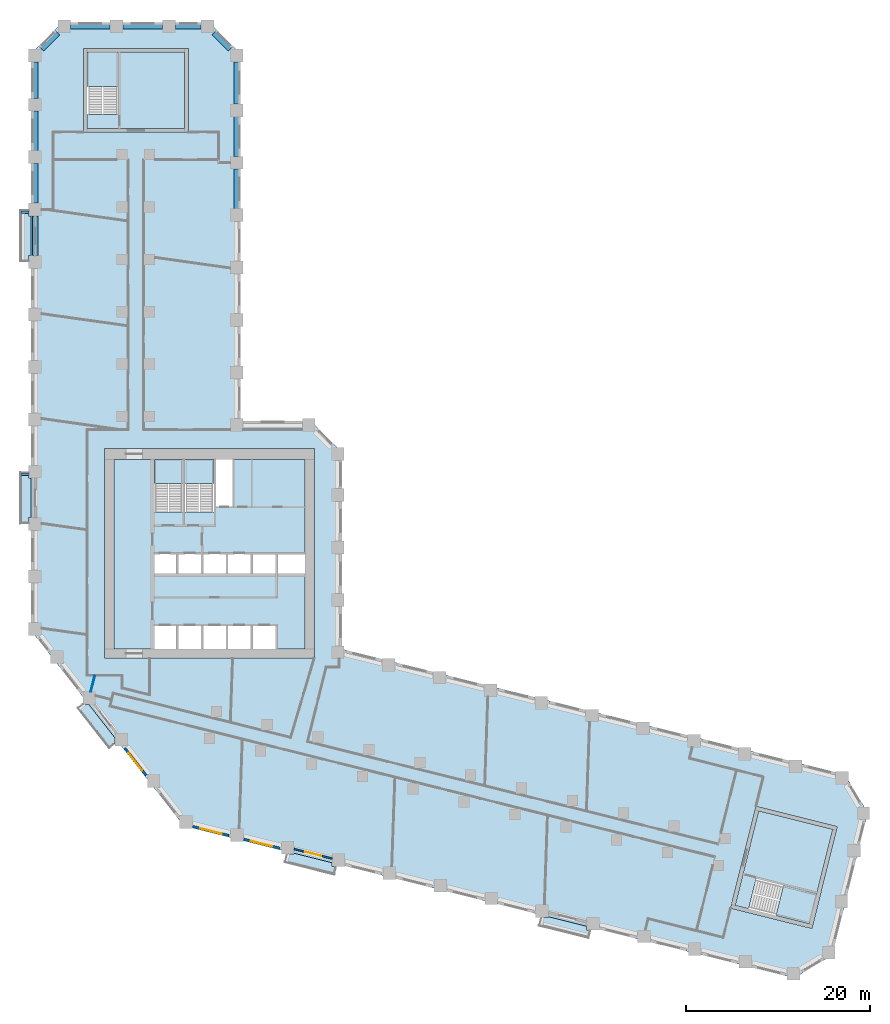
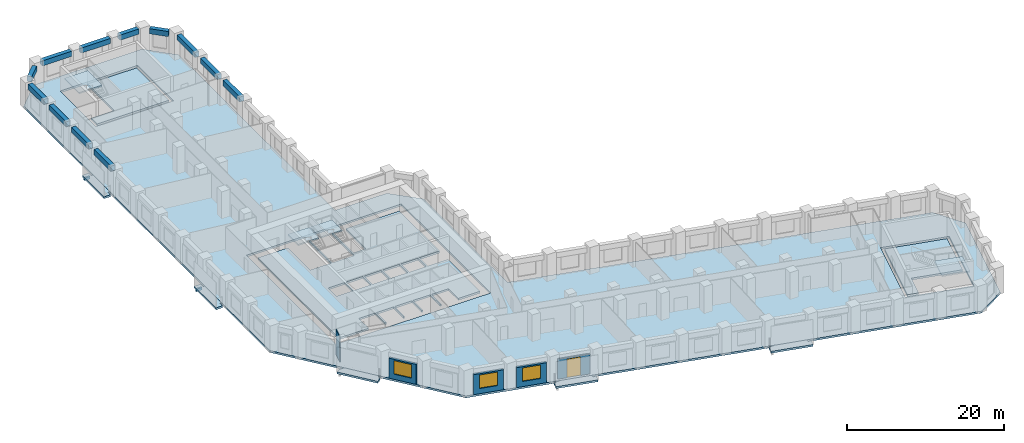
# One storey, part 2 of 11: 14 beams, 13 slabs, 5 walls, 3 windows, 1 door, 4 openings, 4 elements without a shape of their own.
"""IFC4 building model written with IfcOpenShell, lengths in metres."""

from ifc_helpers import new_model, si_unit, direction, frame, frame_2d, origin, origin_2d, place, context, subcontext, project, spatial, polyline, rectangle, outline, extrude, material, layer, layer_set, material_profile, profile_set, type_object, element, fill, aggregate, save


model = new_model("IFC4")

# Units and contexts
model_context = context("Model", 3, precision=1e-05, world=origin(), true_north=direction((0.0, 1.0)))
body_context = subcontext(model_context, "Body", "Model", "MODEL_VIEW")
ifc_project = project(units=[si_unit("LENGTHUNIT", "METRE"), si_unit("AREAUNIT", "SQUARE_METRE"), si_unit("VOLUMEUNIT", "CUBIC_METRE"), si_unit("PLANEANGLEUNIT", "RADIAN"), si_unit("MASSUNIT", "GRAM", prefix="KILO")], contexts=[model_context])

# Site, building, storey
site_placement = place(None, origin())
site = spatial("IfcSite", under=ifc_project, at=site_placement, CompositionType="ELEMENT")
building_placement = place(site_placement, origin())
building = spatial("IfcBuilding", under=site, at=building_placement, Name="Meshkara Civic Tower", CompositionType="ELEMENT")
storey_placement = place(building_placement, frame((0.0, 0.0, 79.199951171875)))
storey = spatial("IfcBuildingStorey", under=building, at=storey_placement, Name="L17", CompositionType="ELEMENT", Elevation=79.199951171875)

# Beams
ifc_material_1 = material(Name="Concrete C50", Category="concrete")
ifc_material_profile_1 = material_profile(ifc_material_1, rectangle(XDim=0.25, YDim=0.39990234375, at=origin_2d()))
ifc_profile_set_1 = profile_set([ifc_material_profile_1], Name="Concrete C50")
beam_type_1 = type_object("IfcBeamType", Name="Balcony bracket beam RC 250x400 C50", PredefinedType="BEAM", material=ifc_profile_set_1)
for number, where, z_axis, x_axis, name in (
    (1, (-0.2451171875, 62.554931640625, -0.5), (-1.0, 0.0, 0.0), (0.0, -1.0, 0.0), "Balcony bracket beam"),
    (2, (-0.2451171875, 34.054931640625, -0.5), (-1.0, 0.0, 0.0), (0.0, -1.0, 0.0), "Balcony bracket beam"),
):
    element("IfcBeam", number, at=place(storey_placement, frame(where, z_axis=z_axis, x_axis=x_axis)), inside=storey, type_object=beam_type_1, Name=name, PredefinedType="BEAM", context=body_context, shape_type="SweptSolid", body=[
        extrude(rectangle(XDim=0.25, YDim=0.39990234375, at=origin_2d()), origin(), (0.0, 0.0, 1.0), 0.85498046875),
    ])
ifc_material_2 = material(Name="Concrete C70", Category="concrete")
ifc_material_profile_2 = material_profile(ifc_material_2, rectangle(XDim=0.60009765625, YDim=0.800048828125, at=origin_2d()))
ifc_profile_set_2 = profile_set([ifc_material_profile_2], Name="Concrete C70")
beam_type_2 = type_object("IfcBeamType", Name="Spandrel beam RC 600x800 C70", PredefinedType="BEAM", material=ifc_profile_set_2)
beam_1_placement = place(storey_placement, frame((22.35009765625, 62.945068359375, 3.5), z_axis=(0.0, 1.0, 0.0), x_axis=(-1.0, 0.0, 0.0)))
element("IfcBeam", 3, at=beam_1_placement, inside=storey, type_object=beam_type_2, Name="Spandrel beam AE04-AE05", PredefinedType="BEAM", context=body_context, shape_type="SweptSolid", body=[
    extrude(rectangle(XDim=0.60009765625, YDim=0.800048828125, at=origin_2d()), origin(), (0.0, 0.0, 1.0), 4.309814453125),
])
beam_2_placement = place(storey_placement, frame((22.35009765625, 68.64501953125, 3.5), z_axis=(0.0, 1.0, 0.0), x_axis=(-1.0, 0.0, 0.0)))
element("IfcBeam", 4, at=beam_2_placement, inside=storey, type_object=beam_type_2, Name="Spandrel beam AE05-AE06", PredefinedType="BEAM", context=body_context, shape_type="SweptSolid", body=[
    extrude(rectangle(XDim=0.60009765625, YDim=0.800048828125, at=origin_2d()), origin(), (0.0, 0.0, 1.0), 4.31005859375),
])
beam_3_placement = place(storey_placement, frame((22.35009765625, 74.344970703125, 3.5), z_axis=(0.0, 1.0, 0.0), x_axis=(-1.0, 0.0, 0.0)))
element("IfcBeam", 5, at=beam_3_placement, inside=storey, type_object=beam_type_2, Name="Spandrel beam AE06-AEE", PredefinedType="BEAM", context=body_context, shape_type="SweptSolid", body=[
    extrude(rectangle(XDim=0.60009765625, YDim=0.800048828125, at=origin_2d()), origin(), (0.0, 0.0, 1.0), 4.573974609375),
])
beam_4_placement = place(storey_placement, frame((21.653564453125, 80.310546875, 3.5), z_axis=(-0.707155737934, 0.70705782105, 0.0), x_axis=(-0.70705782105, -0.707155737934, 0.0)))
element("IfcBeam", 6, at=beam_4_placement, inside=storey, type_object=beam_type_2, Name="Spandrel beam AEE-ATiE", PredefinedType="BEAM", context=body_context, shape_type="SweptSolid", body=[
    extrude(rectangle(XDim=0.60009765625, YDim=0.800048828125, at=origin_2d()), origin(), (0.0, 0.0, 1.0), 2.493408203125),
])
beam_5_placement = place(storey_placement, frame((18.4990234375, 82.77001953125, 3.5), z_axis=(-1.0, 0.0, 0.0), x_axis=(0.0, -1.0, 0.0)))
element("IfcBeam", 7, at=beam_5_placement, inside=storey, type_object=beam_type_2, Name="Spandrel beam AT02-ATiE", PredefinedType="BEAM", context=body_context, shape_type="SweptSolid", body=[
    extrude(rectangle(XDim=0.60009765625, YDim=0.800048828125, at=origin_2d()), origin(), (0.0, 0.0, 1.0), 2.798095703125),
])
for number, where, z_axis, x_axis, name in (
    (8, (14.31103515625, 82.77001953125, 3.5), (-1.0, 0.0, 0.0), (0.0, -1.0, 0.0), "Spandrel beam AT01-AT02"),
    (9, (8.611083984375, 82.77001953125, 3.5), (-1.0, 0.0, 0.0), (0.0, -1.0, 0.0), "Spandrel beam AT00-AT01"),
):
    element("IfcBeam", number, at=place(storey_placement, frame(where, z_axis=z_axis, x_axis=x_axis)), inside=storey, type_object=beam_type_2, Name=name, PredefinedType="BEAM", context=body_context, shape_type="SweptSolid", body=[
        extrude(rectangle(XDim=0.60009765625, YDim=0.800048828125, at=origin_2d()), origin(), (0.0, 0.0, 1.0), 4.31005859375),
    ])
beam_6_placement = place(storey_placement, frame((2.909423828125, 82.073486328125, 3.5), z_axis=(-0.707106781187, -0.707106781187, 0.0), x_axis=(0.707106781187, -0.707106781187, 0.0)))
element("IfcBeam", 10, at=beam_6_placement, inside=storey, type_object=beam_type_2, Name="Spandrel beam AT00-ATo00", PredefinedType="BEAM", context=body_context, shape_type="SweptSolid", body=[
    extrude(rectangle(XDim=0.60009765625, YDim=0.800048828125, at=origin_2d()), origin(), (0.0, 0.0, 1.0), 2.4931640625),
])
beam_7_placement = place(storey_placement, frame((0.449951171875, 78.9189453125, 3.5), z_axis=(0.0, -1.0, 0.0), x_axis=(1.0, 0.0, 0.0)))
element("IfcBeam", 11, at=beam_7_placement, inside=storey, type_object=beam_type_2, Name="Spandrel beam ATo00-AW10", PredefinedType="BEAM", context=body_context, shape_type="SweptSolid", body=[
    extrude(rectangle(XDim=0.60009765625, YDim=0.800048828125, at=origin_2d()), origin(), (0.0, 0.0, 1.0), 3.968994140625),
])
for number, where, z_axis, x_axis, name in (
    (12, (0.449951171875, 73.56005859375, 3.5), (0.0, -1.0, 0.0), (1.0, 0.0, 0.0), "Spandrel beam AW09-AW10"),
    (13, (0.449951171875, 67.860107421875, 3.5), (0.0, -1.0, 0.0), (1.0, 0.0, 0.0), "Spandrel beam AW08-AW09"),
):
    element("IfcBeam", number, at=place(storey_placement, frame(where, z_axis=z_axis, x_axis=x_axis)), inside=storey, type_object=beam_type_2, Name=name, PredefinedType="BEAM", context=body_context, shape_type="SweptSolid", body=[
        extrude(rectangle(XDim=0.60009765625, YDim=0.800048828125, at=origin_2d()), origin(), (0.0, 0.0, 1.0), 4.31005859375),
    ])
beam_8_placement = place(storey_placement, frame((0.449951171875, 62.159912109375, 3.5), z_axis=(0.0, -1.0, 0.0), x_axis=(1.0, 0.0, 0.0)))
element("IfcBeam", 14, at=beam_8_placement, inside=storey, type_object=beam_type_2, Name="Spandrel beam AW07-AW08", PredefinedType="BEAM", context=body_context, shape_type="SweptSolid", body=[
    extrude(rectangle(XDim=0.60009765625, YDim=0.800048828125, at=origin_2d()), origin(), (0.0, 0.0, 1.0), 4.309814453125),
])

# Slabs
ifc_material_3 = material(Name="Concrete C40", Category="concrete")
ifc_layer_1 = layer(ifc_material_3, 0.300048828125)
ifc_layer_set_1 = layer_set([ifc_layer_1], Name="BALCONY SLAB")
slab_type_1 = type_object("IfcSlabType", Name="BALCONY SLAB", PredefinedType="FLOOR", material=ifc_layer_set_1)
slab_1_placement = place(storey_placement, frame((0.0, 0.0, -0.300048828125)))
element("IfcSlab", 15, at=slab_1_placement, inside=storey, type_object=slab_type_1, Name="Balcony slab", PredefinedType="FLOOR", context=body_context, shape_type="SweptSolid", body=[
    extrude(outline(polyline([(-1.199951171875, 57.215087890625), (-1.199951171875, 62.794921875), (-0.25, 62.794921875), (-0.25, 62.155029296875), (0.0, 62.155029296875), (0.0, 57.85498046875), (-0.25, 57.85498046875), (-0.25, 57.215087890625), (-1.199951171875, 57.215087890625)])), origin(), (0.0, 0.0, 1.0), 0.300048828125),
])
slab_2_placement = place(storey_placement, frame((0.0, 0.0, -0.300048828125)))
element("IfcSlab", 16, at=slab_2_placement, inside=storey, type_object=slab_type_1, Name="Balcony slab", PredefinedType="FLOOR", context=body_context, shape_type="SweptSolid", body=[
    extrude(outline(polyline([(-1.199951171875, 28.715087890625), (-1.199951171875, 34.294921875), (-0.25, 34.294921875), (-0.25, 33.655029296875), (0.0, 33.655029296875), (0.0, 29.35498046875), (-0.25, 29.35498046875), (-0.25, 28.715087890625), (-1.199951171875, 28.715087890625)])), origin(), (0.0, 0.0, 1.0), 0.300048828125),
])
slab_3_placement = place(storey_placement, frame((0.0, 0.0, -0.300048828125)))
element("IfcSlab", 17, at=slab_3_placement, inside=storey, type_object=slab_type_1, Name="Balcony slab", PredefinedType="FLOOR", context=body_context, shape_type="SweptSolid", body=[
    extrude(outline(polyline([(8.49609375, 4.27587890625), (5.06005859375, 8.674072265625), (5.623046875, 9.114013671875), (5.623046875, 9.037109375), (6.299072265625, 9.037109375), (9.133056640625, 5.409912109375), (9.133056640625, 4.77392578125), (8.49609375, 4.27587890625)])), origin(), (0.0, 0.0, 1.0), 0.300048828125),
])
slab_4_placement = place(storey_placement, frame((0.0, 0.0, -0.300048828125)))
element("IfcSlab", 18, at=slab_4_placement, inside=storey, type_object=slab_type_1, Name="Balcony slab", PredefinedType="FLOOR", context=body_context, shape_type="SweptSolid", body=[
    extrude(outline(polyline([(32.986083984375, -9.4609375), (27.571044921875, -8.111083984375), (27.799072265625, -7.196044921875), (28.612060546875, -7.196044921875), (28.612060546875, -7.134033203125), (32.742919921875, -8.1640625), (32.742919921875, -8.574951171875), (33.20703125, -8.574951171875), (32.986083984375, -9.4609375)])), origin(), (0.0, 0.0, 1.0), 0.300048828125),
])
slab_5_placement = place(storey_placement, frame((0.0, 0.0, -0.300048828125)))
element("IfcSlab", 19, at=slab_5_placement, inside=storey, type_object=slab_type_1, Name="Balcony slab", PredefinedType="FLOOR", context=body_context, shape_type="SweptSolid", body=[
    extrude(outline(polyline([(60.639892578125, -16.35595703125), (55.22509765625, -15.006103515625), (55.452880859375, -14.090087890625), (56.26611328125, -14.090087890625), (56.26611328125, -14.029052734375), (60.39697265625, -15.05908203125), (60.39697265625, -15.468994140625), (60.861083984375, -15.468994140625), (60.639892578125, -16.35595703125)])), origin(), (0.0, 0.0, 1.0), 0.300048828125),
])
ifc_material_4 = material(Name="Concrete C40/50", Category="concrete")
ifc_layer_2 = layer(ifc_material_4, 0.300048828125)
ifc_layer_set_2 = layer_set([ifc_layer_2], Name="Core floor slab 300 C40/50")
slab_type_2 = type_object("IfcSlabType", Name="Core floor slab 300 C40/50", PredefinedType="FLOOR", material=ifc_layer_set_2)
slab_6_placement = place(storey_placement, frame((0.0, 0.0, -0.300048828125)))
element("IfcSlab", 20, at=slab_6_placement, inside=storey, type_object=slab_type_2, Name="Core floor K", PredefinedType="FLOOR", context=body_context, shape_type="SweptSolid", body=[
    extrude(outline(polyline([(9.0, 35.699951171875), (13.39990234375, 35.699951171875), (13.39990234375, 30.00146484375), (16.5, 30.00146484375), (16.5, 35.699951171875), (16.699951171875, 35.699951171875), (16.699951171875, 30.00146484375), (19.89990234375, 30.00146484375), (19.89990234375, 35.699951171875), (20.10009765625, 35.699951171875), (20.10009765625, 30.574951171875), (21.925048828125, 30.574951171875), (21.925048828125, 35.699951171875), (29.800048828125, 35.699951171875), (29.800048828125, 25.39990234375), (26.800048828125, 25.39990234375), (26.800048828125, 23.300048828125), (29.800048828125, 23.300048828125), (29.800048828125, 15.10009765625), (26.60009765625, 15.10009765625), (26.60009765625, 17.60009765625), (24.10009765625, 17.60009765625), (24.10009765625, 15.10009765625), (23.89990234375, 15.10009765625), (23.89990234375, 17.60009765625), (21.39990234375, 17.60009765625), (21.39990234375, 15.10009765625), (21.199951171875, 15.10009765625), (21.199951171875, 17.60009765625), (18.699951171875, 17.60009765625), (18.699951171875, 15.10009765625), (18.5, 15.10009765625), (18.5, 17.60009765625), (16.0, 17.60009765625), (16.0, 15.10009765625), (15.800048828125, 15.10009765625), (15.800048828125, 17.60009765625), (13.39990234375, 17.60009765625), (13.39990234375, 15.10009765625), (9.0, 15.10009765625), (9.0, 35.699951171875)]), holes=[polyline([(13.39990234375, 25.39990234375), (13.39990234375, 23.300048828125), (15.800048828125, 23.300048828125), (15.800048828125, 25.39990234375), (13.39990234375, 25.39990234375)]), polyline([(18.5, 23.300048828125), (18.5, 25.39990234375), (16.0, 25.39990234375), (16.0, 23.300048828125), (18.5, 23.300048828125)]), polyline([(18.699951171875, 25.39990234375), (18.699951171875, 23.300048828125), (21.199951171875, 23.300048828125), (21.199951171875, 25.39990234375), (18.699951171875, 25.39990234375)]), polyline([(23.89990234375, 23.300048828125), (23.89990234375, 25.39990234375), (21.39990234375, 25.39990234375), (21.39990234375, 23.300048828125), (23.89990234375, 23.300048828125)]), polyline([(26.60009765625, 23.300048828125), (26.60009765625, 25.39990234375), (24.10009765625, 25.39990234375), (24.10009765625, 23.300048828125), (26.60009765625, 23.300048828125)])]), origin(), (0.0, 0.0, 1.0), 0.300048828125),
])
slab_7_placement = place(storey_placement, frame((0.0, 0.0, -0.300048828125)))
element("IfcSlab", 21, at=slab_7_placement, inside=storey, type_object=slab_type_2, Name="Core floor EA", PredefinedType="FLOOR", context=body_context, shape_type="SweptSolid", body=[
    extrude(outline(polyline([(16.699951171875, 71.669921875), (16.699951171875, 79.969970703125), (9.5, 79.969970703125), (9.5, 73.17138671875), (6.10009765625, 73.17138671875), (6.10009765625, 71.669921875), (16.699951171875, 71.669921875)])), origin(), (0.0, 0.0, 1.0), 0.300048828125),
])
slab_8_placement = place(storey_placement, frame((0.0, 0.0, -0.300048828125)))
element("IfcSlab", 22, at=slab_8_placement, inside=storey, type_object=slab_type_2, Name="Core floor EB", PredefinedType="FLOOR", context=body_context, shape_type="SweptSolid", body=[
    extrude(outline(polyline([(79.11181640625, -2.513671875), (87.165283203125, -4.521484375), (85.423583984375, -11.507568359375), (78.826904296875, -9.863037109375), (78.00439453125, -13.161865234375), (76.547607421875, -12.798583984375), (79.11181640625, -2.513671875)])), origin(), (0.0, 0.0, 1.0), 0.300048828125),
])

# Stair, slab
ifc_material_5 = material(Name="Precast concrete C40/50", Category="concrete")
stair_type_1 = type_object("IfcStairType", Name="Exit stair half-turn 24 risers precast", PredefinedType="HALF_TURN_STAIR", material=ifc_material_5)
stair_1_placement = place(storey_placement, origin())
stair_1 = element("IfcStair", 23, at=stair_1_placement, inside=storey, type_object=stair_type_1, Name="L17 exit stair 1", PredefinedType="HALF_TURN_STAIR")
ifc_material_6 = material(Name="Precast concrete C40/50", Category="concrete")
ifc_layer_3 = layer(ifc_material_6, 0.199951171875)
ifc_layer_set_3 = layer_set([ifc_layer_3], Name="Exit stair landing 200")
slab_type_3 = type_object("IfcSlabType", Name="Exit stair landing 200", PredefinedType="LANDING", material=ifc_layer_set_3)
slab_9_placement = place(storey_placement, frame((0.0, 0.0, 1.900146484375)))
slab_9 = element("IfcSlab", 24, at=slab_9_placement, type_object=slab_type_3, Name="ST1 landing 1", PredefinedType="LANDING", context=body_context, shape_type="SweptSolid", body=[
    extrude(outline(polyline([(16.5, 33.07861328125), (16.5, 35.699951171875), (13.39990234375, 35.699951171875), (13.39990234375, 33.07861328125), (16.5, 33.07861328125)])), origin(), (0.0, 0.0, 1.0), 0.199951171875),
])
aggregate(stair_1, [slab_9])

stair_2_placement = place(storey_placement, origin())
stair_2 = element("IfcStair", 25, at=stair_2_placement, inside=storey, type_object=stair_type_1, Name="L17 exit stair 2", PredefinedType="HALF_TURN_STAIR")
slab_10_placement = place(storey_placement, frame((0.0, 0.0, 1.900146484375)))
slab_10 = element("IfcSlab", 26, at=slab_10_placement, type_object=slab_type_3, Name="ST2 landing 1", PredefinedType="LANDING", context=body_context, shape_type="SweptSolid", body=[
    extrude(outline(polyline([(19.89990234375, 33.07861328125), (19.89990234375, 35.699951171875), (16.699951171875, 35.699951171875), (16.699951171875, 33.07861328125), (19.89990234375, 33.07861328125)])), origin(), (0.0, 0.0, 1.0), 0.199951171875),
])
aggregate(stair_2, [slab_10])

ifc_material_7 = material(Name="Precast concrete C40/50", Category="concrete")
stair_type_2 = type_object("IfcStairType", Name="Exit stair half-turn 24 risers 1500 precast", PredefinedType="HALF_TURN_STAIR", material=ifc_material_7)
stair_3_placement = place(storey_placement, origin())
stair_3 = element("IfcStair", 27, at=stair_3_placement, inside=storey, type_object=stair_type_2, Name="L17 exit stair A from B2", PredefinedType="HALF_TURN_STAIR")
slab_11_placement = place(storey_placement, frame((0.0, 0.0, 1.900146484375)))
slab_11 = element("IfcSlab", 28, at=slab_11_placement, type_object=slab_type_3, Name="ESA1 landing 1", PredefinedType="LANDING", context=body_context, shape_type="SweptSolid", body=[
    extrude(outline(polyline([(9.5, 76.24853515625), (9.5, 79.969970703125), (6.10009765625, 79.969970703125), (6.10009765625, 76.24853515625), (9.5, 76.24853515625)])), origin(), (0.0, 0.0, 1.0), 0.199951171875),
])
aggregate(stair_3, [slab_11])

stair_4_placement = place(storey_placement, origin())
stair_4 = element("IfcStair", 29, at=stair_4_placement, inside=storey, type_object=stair_type_2, Name="L17 exit stair B from B2", PredefinedType="HALF_TURN_STAIR")
slab_12_placement = place(storey_placement, frame((0.0, 0.0, 1.900146484375)))
slab_12 = element("IfcSlab", 30, at=slab_12_placement, type_object=slab_type_3, Name="ESB1 landing 1", PredefinedType="LANDING", context=body_context, shape_type="SweptSolid", body=[
    extrude(outline(polyline([(80.98974609375, -13.9072265625), (84.600830078125, -14.80810546875), (85.424072265625, -11.50830078125), (81.81298828125, -10.607421875), (80.98974609375, -13.9072265625)])), origin(), (0.0, 0.0, 1.0), 0.199951171875),
])
aggregate(stair_4, [slab_12])

# Slab
ifc_material_8 = material(Name="Concrete C50", Category="concrete")
ifc_layer_4 = layer(ifc_material_8, 0.300048828125)
ifc_layer_set_4 = layer_set([ifc_layer_4], Name="Post-tensioned flat slab 300 C50")
slab_type_4 = type_object("IfcSlabType", Name="Post-tensioned flat slab 300 C50", PredefinedType="FLOOR", material=ifc_layer_set_4)
slab_13_placement = place(storey_placement, frame((0.0, 0.0, -0.300048828125)))
element("IfcSlab", 31, at=slab_13_placement, inside=storey, type_object=slab_type_4, Name="Post-tensioned flat slab L17", PredefinedType="FLOOR", context=body_context, shape_type="SweptSolid", body=[
    extrude(outline(polyline([(87.10595703125, -18.193115234375), (82.9599609375, -20.68408203125), (16.592041015625, -4.136962890625), (0.0, 17.10009765625), (0.0, 79.800048828125), (3.419921875, 83.219970703125), (19.3798828125, 83.219970703125), (22.800048828125, 79.800048828125), (22.800048828125, 39.89990234375), (30.3798828125, 39.89990234375), (33.800048828125, 36.47998046875), (33.800048828125, 15.071044921875), (88.47607421875, 1.43798828125), (90.967041015625, -2.70703125), (87.10595703125, -18.193115234375)]), holes=[polyline([(84.89208984375, -15.2919921875), (87.64990234375, -4.22998046875), (78.821044921875, -2.029052734375), (76.06298828125, -13.090087890625), (84.89208984375, -15.2919921875)]), polyline([(8.0, 14.10009765625), (30.800048828125, 14.10009765625), (30.800048828125, 36.89990234375), (8.0, 36.89990234375), (8.0, 14.10009765625)]), polyline([(5.699951171875, 80.3701171875), (5.699951171875, 71.27001953125), (17.10009765625, 71.27001953125), (17.10009765625, 80.3701171875), (5.699951171875, 80.3701171875)])]), origin(), (0.0, 0.0, 1.0), 0.300048828125),
])

# Wall, opening, window
ifc_material_9 = material(Name="Insulated infill panel with bronze anodised aluminium cladding", Category="aluminium")
ifc_layer_5 = layer(ifc_material_9, 0.300048828125)
ifc_layer_set_5 = layer_set([ifc_layer_5], Name="EXTERNAL INFILL WALL 300")
wall_type_1 = type_object("IfcWallType", Name="EXTERNAL INFILL WALL 300", PredefinedType="SOLIDWALL", material=ifc_layer_set_5)
wall_1_placement = place(storey_placement, frame((10.201904296875, 4.285888671875, 0.0), z_axis=(0.0, 0.0, 1.0), x_axis=(0.615636430057, -0.788030320474, 0.0)))
wall_1 = element("IfcWall", 32, at=wall_1_placement, inside=storey, type_object=wall_type_1, Name="External wall", PredefinedType="SOLIDWALL", context=body_context, shape_type="SweptSolid", body=[
    extrude(rectangle(XDim=3.734375, YDim=0.300048828125, at=frame_2d((1.8671875, 0.0))), origin(), (0.0, 0.0, 1.0), 3.10009765625),
])
opening_1_placement = place(wall_1_placement, frame((0.6669921875, 0.0, 0.800048828125)))
opening_1 = element("IfcOpeningElement", 33, at=opening_1_placement, cuts=wall_1, Name="Opening W7", PredefinedType="OPENING", context=body_context, shape_type="SweptSolid", body=[
    extrude(rectangle(XDim=2.39990234375, YDim=2.10009765625, at=frame_2d((1.199951171875, 1.050048828125))), frame((0.0, 0.159912109375, 0.0), z_axis=(0.0, -1.0, 0.0), x_axis=(1.0, 0.0, 0.0)), (0.0, 0.0, 1.0), 0.320068359375),
])
ifc_material_10 = material(Name="Tinted double glazing", Category="glass")
window_type = type_object("IfcWindowType", Name="WINDOW 2400x2100", PartitioningType="DOUBLE_PANEL_VERTICAL", PredefinedType="WINDOW", material=ifc_material_10)
window_1_placement = place(opening_1_placement, origin())
window_1 = element("IfcWindow", 34, at=window_1_placement, inside=storey, type_object=window_type, Name="Window", OverallHeight=2.10009765625, OverallWidth=2.39990234375, PartitioningType="DOUBLE_PANEL_VERTICAL", PredefinedType="WINDOW", context=body_context, shape_type="SweptSolid", body=[
    extrude(rectangle(XDim=2.39990234375, YDim=2.10009765625, at=frame_2d((1.199951171875, 1.050048828125))), frame((0.0, 0.030029296875, 0.0), z_axis=(0.0, -1.0, 0.0), x_axis=(1.0, 0.0, 0.0)), (0.0, 0.0, 1.0), 0.06005859375),
])
fill(opening_1, window_1)

wall_2_placement = place(storey_placement, frame((17.60205078125, -4.23388671875, 0.0), z_axis=(0.0, 0.0, 1.0), x_axis=(0.970260773365, -0.242062040951, 0.0)))
wall_2 = element("IfcWall", 35, at=wall_2_placement, inside=storey, type_object=wall_type_1, Name="External wall", PredefinedType="SOLIDWALL", context=body_context, shape_type="SweptSolid", body=[
    extrude(rectangle(XDim=4.003173828125, YDim=0.300048828125, at=frame_2d((2.00146484375, 0.0))), origin(), (0.0, 0.0, 1.0), 3.10009765625),
])
opening_2_placement = place(wall_2_placement, frame((0.802001953125, 0.0, 0.800048828125)))
opening_2 = element("IfcOpeningElement", 36, at=opening_2_placement, cuts=wall_2, Name="Opening W7", PredefinedType="OPENING", context=body_context, shape_type="SweptSolid", body=[
    extrude(rectangle(XDim=2.39990234375, YDim=2.10009765625, at=frame_2d((1.199951171875, 1.050048828125))), frame((0.0, 0.159912109375, 0.0), z_axis=(0.0, -1.0, 0.0), x_axis=(1.0, 0.0, 0.0)), (0.0, 0.0, 1.0), 0.320068359375),
])
window_2_placement = place(opening_2_placement, origin())
window_2 = element("IfcWindow", 37, at=window_2_placement, inside=storey, type_object=window_type, Name="Window", OverallHeight=2.10009765625, OverallWidth=2.39990234375, PartitioningType="DOUBLE_PANEL_VERTICAL", PredefinedType="WINDOW", context=body_context, shape_type="SweptSolid", body=[
    extrude(rectangle(XDim=2.39990234375, YDim=2.10009765625, at=frame_2d((1.199951171875, 1.050048828125))), frame((0.0, 0.030029296875, 0.0), z_axis=(0.0, -1.0, 0.0), x_axis=(1.0, 0.0, 0.0)), (0.0, 0.0, 1.0), 0.06005859375),
])
fill(opening_2, window_2)

wall_3_placement = place(storey_placement, frame((23.133056640625, -5.613037109375, 0.0), z_axis=(0.0, 0.0, 1.0), x_axis=(0.970303772127, -0.241889623168, 0.0)))
wall_3 = element("IfcWall", 38, at=wall_3_placement, inside=storey, type_object=wall_type_1, Name="External wall", PredefinedType="SOLIDWALL", context=body_context, shape_type="SweptSolid", body=[
    extrude(rectangle(XDim=4.001953125, YDim=0.300048828125, at=frame_2d((2.0009765625, 0.0))), origin(), (0.0, 0.0, 1.0), 3.10009765625),
])
opening_3_placement = place(wall_3_placement, frame((0.801025390625, 0.0, 0.800048828125)))
opening_3 = element("IfcOpeningElement", 39, at=opening_3_placement, cuts=wall_3, Name="Opening W7", PredefinedType="OPENING", context=body_context, shape_type="SweptSolid", body=[
    extrude(rectangle(XDim=2.39990234375, YDim=2.10009765625, at=frame_2d((1.199951171875, 1.050048828125))), frame((0.0, 0.159912109375, 0.0), z_axis=(0.0, -1.0, 0.0), x_axis=(1.0, 0.0, 0.0)), (0.0, 0.0, 1.0), 0.320068359375),
])
window_3_placement = place(opening_3_placement, origin())
window_3 = element("IfcWindow", 40, at=window_3_placement, inside=storey, type_object=window_type, Name="Window", OverallHeight=2.10009765625, OverallWidth=2.39990234375, PartitioningType="DOUBLE_PANEL_VERTICAL", PredefinedType="WINDOW", context=body_context, shape_type="SweptSolid", body=[
    extrude(rectangle(XDim=2.39990234375, YDim=2.10009765625, at=frame_2d((1.199951171875, 1.050048828125))), frame((0.0, 0.030029296875, 0.0), z_axis=(0.0, -1.0, 0.0), x_axis=(1.0, 0.0, 0.0)), (0.0, 0.0, 1.0), 0.06005859375),
])
fill(opening_3, window_3)

# Wall, opening, door
ifc_material_11 = material(Name="Insulated infill panel with bronze anodised aluminium cladding", Category="aluminium")
ifc_layer_6 = layer(ifc_material_11, 0.199951171875)
ifc_layer_set_6 = layer_set([ifc_layer_6], Name="LOGGIA BACK WALL 200")
wall_type_2 = type_object("IfcWallType", Name="LOGGIA BACK WALL 200", PredefinedType="SOLIDWALL", material=ifc_layer_set_6)
wall_4_placement = place(storey_placement, frame((28.612060546875, -6.669921875, 0.0), z_axis=(0.0, 0.0, 1.0), x_axis=(0.970290742877, -0.241941882045, 0.0)))
wall_4 = element("IfcWall", 41, at=wall_4_placement, inside=storey, type_object=wall_type_2, Name="Loggia wall", PredefinedType="SOLIDWALL", context=body_context, shape_type="SweptSolid", body=[
    extrude(rectangle(XDim=4.25732421875, YDim=0.199951171875, at=frame_2d((2.128662109375, 0.0))), origin(), (0.0, 0.0, 1.0), 3.10009765625),
])
opening_4_placement = place(wall_4_placement, frame((1.22802734375, 0.0, 0.0)))
opening_4 = element("IfcOpeningElement", 42, at=opening_4_placement, cuts=wall_4, Name="Opening L17-L004", PredefinedType="OPENING", context=body_context, shape_type="SweptSolid", body=[
    extrude(rectangle(XDim=1.800048828125, YDim=2.89990234375, at=frame_2d((0.89990234375, 1.449951171875))), frame((0.0, 0.10986328125, 0.0), z_axis=(0.0, -1.0, 0.0), x_axis=(1.0, 0.0, 0.0)), (0.0, 0.0, 1.0), 0.219970703125),
])
ifc_material_12 = material(Name="Tinted double glazing", Category="glass")
door_type = type_object("IfcDoorType", Name="LOGGIA DOOR 1800x2900", OperationType="DOUBLE_DOOR_SINGLE_SWING", PredefinedType="DOOR", material=ifc_material_12)
door_placement = place(opening_4_placement, origin())
door = element("IfcDoor", 43, at=door_placement, inside=storey, type_object=door_type, Name="L17-L004", OperationType="DOUBLE_DOOR_SINGLE_SWING", OverallHeight=2.89990234375, OverallWidth=1.800048828125, PredefinedType="DOOR", context=body_context, shape_type="SweptSolid", body=[
    extrude(rectangle(XDim=1.800048828125, YDim=2.89990234375, at=frame_2d((0.89990234375, 1.449951171875))), frame((0.0, 0.02490234375, 0.0), z_axis=(0.0, -1.0, 0.0), x_axis=(1.0, 0.0, 0.0)), (0.0, 0.0, 1.0), 0.050048828125),
])
fill(opening_4, door)

# Wall
ifc_material_13 = material(Name="Partition 100")
ifc_layer_7 = layer(ifc_material_13, 0.10009765625)
ifc_layer_set_7 = layer_set([ifc_layer_7], Name="Partition 100")
wall_type_3 = type_object("IfcWallType", Name="Partition 100", PredefinedType="PARTITIONING", material=ifc_layer_set_7)
wall_5_placement = place(storey_placement, frame((6.922119140625, 12.137939453125, 0.0), z_axis=(0.0, 0.0, 1.0), x_axis=(-0.242437328426, -0.970167069007, 0.0)))
element("IfcWall", 44, at=wall_5_placement, inside=storey, type_object=wall_type_3, Name="L17-W037", PredefinedType="PARTITIONING", context=body_context, shape_type="SweptSolid", body=[
    extrude(rectangle(XDim=1.753173828125, YDim=0.10009765625, at=frame_2d((0.87646484375, 0.0))), origin(), (0.0, 0.0, 1.0), 3.900146484375),
])

save(model, "model.ifc")
